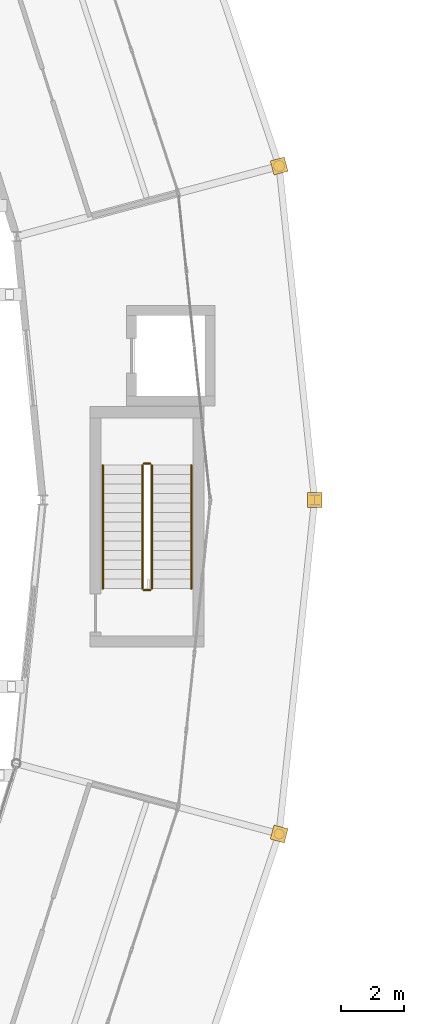
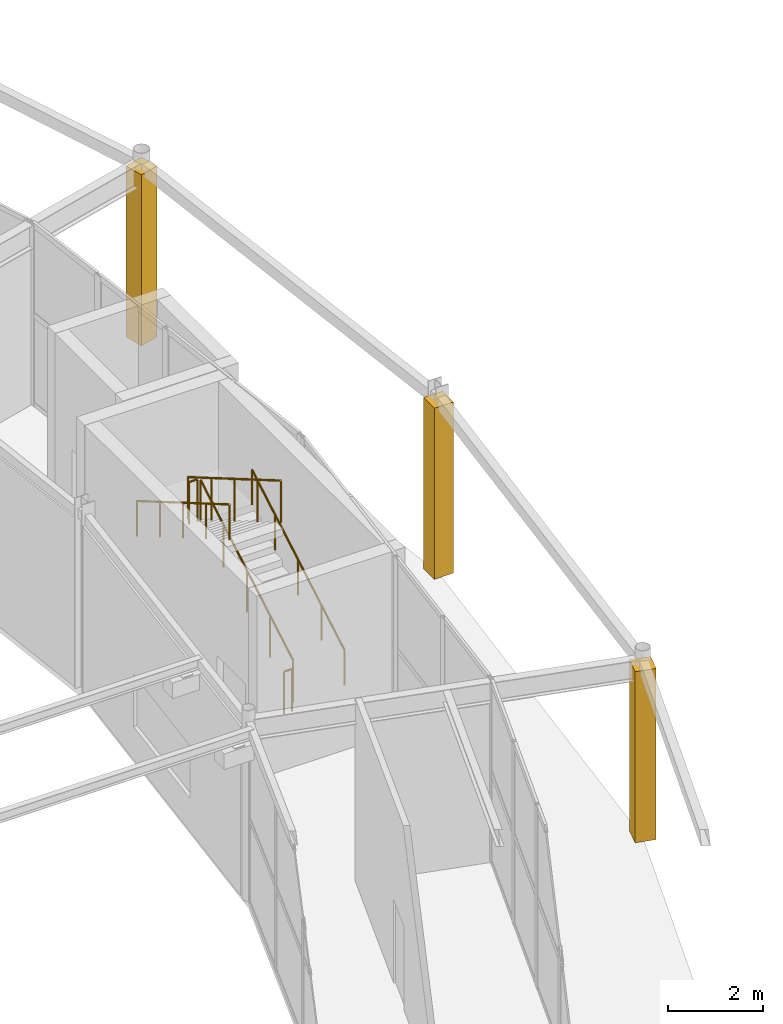
# One storey, part 139 of 144: 6 railings, 3 coverings.
"""IFC4 building model written with IfcOpenShell, lengths in metres."""

from ifc_helpers import new_model, si_unit, direction, frame, origin, origin_2d, place, context, subcontext, project, spatial, rectangle, circle, extrude, material, layer, layer_set, type_object, element, save


model = new_model("IFC4")

# Units and contexts
model_context = context("Model", 3, precision=1e-05, world=origin(), true_north=direction((0.0, 1.0)))
body_context = subcontext(model_context, "Body", "Model", "MODEL_VIEW")
ifc_project = project(units=[si_unit("LENGTHUNIT", "METRE"), si_unit("AREAUNIT", "SQUARE_METRE"), si_unit("VOLUMEUNIT", "CUBIC_METRE"), si_unit("PLANEANGLEUNIT", "RADIAN"), si_unit("MASSUNIT", "GRAM", prefix="KILO")], contexts=[model_context])

# Site, building, storey
site_placement = place(None, origin())
site = spatial("IfcSite", under=ifc_project, at=site_placement, CompositionType="ELEMENT")
building_placement = place(site_placement, origin())
building = spatial("IfcBuilding", under=site, at=building_placement, Name="Karori Crest Natural Sciences Institute", CompositionType="ELEMENT")
storey_placement = place(building_placement, origin())
storey = spatial("IfcBuildingStorey", under=building, at=storey_placement, Name="L00", CompositionType="ELEMENT", Elevation=0.0)

# Coverings
ifc_material_1 = material(Name="Glulam GL10 architectural column casing", Category="wood")
ifc_layer = layer(ifc_material_1, 0.044921875, Name="Glulam GL10 architectural column casing")
ifc_layer_set = layer_set([ifc_layer], Name="Glulam GL10 architectural column casing")
covering_type = type_object("IfcCoveringType", Name="CVT-GL10", PredefinedType="CLADDING", material=ifc_layer_set)
for number, where, z_axis, x_axis, name in (
    (1, (99.39990234375, 49.89990234375, 0.050048828125), (0.0, 0.0, 1.0), (1.0, 0.0, 0.0), "Glulam GL10 column casing CL-0001"),
    (2, (98.275634765625, 60.459716796875, 0.050048828125), (0.0, 0.0, 1.0), (0.965925826289, 0.258819045103, 0.0), "Glulam GL10 column casing CL-0002"),
    (3, (98.275634765625, 39.340087890625, 0.050048828125), (0.0, 0.0, 1.0), (0.965925826289, -0.258819045103, 0.0), "Glulam GL10 column casing CL-0024"),
):
    element("IfcCovering", number, at=place(storey_placement, frame(where, z_axis=z_axis, x_axis=x_axis)), inside=storey, type_object=covering_type, Name=name, PredefinedType="CLADDING", context=body_context, shape_type="SweptSolid", body=[
        extrude(rectangle(XDim=0.4599609375, YDim=0.4599609375, at=origin_2d()), origin(), (0.0, 0.0, 1.0), 4.39990234375),
    ])

# Railings
ifc_material_2 = material(Name="Stainless steel 316 tubular handrail", Category="steel")
railing_type_1 = type_object("IfcRailingType", Name="RLT-HND", PredefinedType="HANDRAIL", material=ifc_material_2)
railing_1_placement = place(storey_placement, frame((95.5, 47.10009765625, 0.175048828125)))
element("IfcRailing", 4, at=railing_1_placement, inside=storey, type_object=railing_type_1, Name="Stair handrail RL-0011", PredefinedType="HANDRAIL", context=body_context, shape_type="SweptSolid", body=[
    extrude(circle(Radius=0.02392578125, at=origin_2d()), frame((0.0, 0.0, 0.90087890625), z_axis=(0.0, 0.86378282336, 0.503864301244), x_axis=(-1.0, 0.0, 0.0)), (0.0, 0.0, 1.0), 4.514892578125),
    extrude(circle(Radius=0.02099609375, at=origin_2d()), origin(), (0.0, 0.0, 1.0), 0.876953125),
    extrude(circle(Radius=0.02099609375, at=origin_2d()), frame((0.0, 0.97509765625, 0.56884765625)), (0.0, 0.0, 1.0), 0.876953125),
    extrude(circle(Radius=0.02099609375, at=origin_2d()), frame((0.0, 1.949951171875, 1.137451171875)), (0.0, 0.0, 1.0), 0.876953125),
    extrude(circle(Radius=0.02099609375, at=origin_2d()), frame((0.0, 2.9248046875, 1.7060546875)), (0.0, 0.0, 1.0), 0.876953125),
    extrude(circle(Radius=0.02099609375, at=origin_2d()), frame((0.0, 3.89990234375, 2.27490234375)), (0.0, 0.0, 1.0), 0.876953125),
])
railing_2_placement = place(storey_placement, frame((92.699951171875, 51.0, 2.625)))
element("IfcRailing", 5, at=railing_2_placement, inside=storey, type_object=railing_type_1, Name="Stair handrail RL-0012", PredefinedType="HANDRAIL", context=body_context, shape_type="SweptSolid", body=[
    extrude(circle(Radius=0.02392578125, at=origin_2d()), frame((0.0, 0.0, 0.90087890625), z_axis=(0.0, -0.86378282336, 0.503864301244), x_axis=(1.0, 0.0, 0.0)), (0.0, 0.0, 1.0), 4.514892578125),
    extrude(circle(Radius=0.02099609375, at=origin_2d()), origin(), (0.0, 0.0, 1.0), 0.876953125),
    extrude(circle(Radius=0.02099609375, at=origin_2d()), frame((0.0, -0.97509765625, 0.56884765625)), (0.0, 0.0, 1.0), 0.876953125),
    extrude(circle(Radius=0.02099609375, at=origin_2d()), frame((0.0, -1.949951171875, 1.137451171875)), (0.0, 0.0, 1.0), 0.876953125),
    extrude(circle(Radius=0.02099609375, at=origin_2d()), frame((0.0, -2.9248046875, 1.7060546875)), (0.0, 0.0, 1.0), 0.876953125),
    extrude(circle(Radius=0.02099609375, at=origin_2d()), frame((0.0, -3.89990234375, 2.27490234375)), (0.0, 0.0, 1.0), 0.876953125),
])
ifc_material_3 = material(Name="Stainless steel 316 stair guard", Category="steel")
railing_type_2 = type_object("IfcRailingType", Name="RLT-STG", PredefinedType="GUARDRAIL", material=ifc_material_3)
railing_3_placement = place(storey_placement, frame((94.25, 47.10009765625, 0.175048828125)))
element("IfcRailing", 6, at=railing_3_placement, inside=storey, type_object=railing_type_2, Name="Stair guard RL-0007", PredefinedType="GUARDRAIL", context=body_context, shape_type="SweptSolid", body=[
    extrude(circle(Radius=0.02392578125, at=origin_2d()), frame((0.0, 0.0, 1.076171875), z_axis=(0.0, 0.86378282336, 0.503864301244), x_axis=(-1.0, 0.0, 0.0)), (0.0, 0.0, 1.0), 4.514892578125),
    extrude(circle(Radius=0.02099609375, at=origin_2d()), origin(), (0.0, 0.0, 1.0), 1.052001953125),
    extrude(circle(Radius=0.02099609375, at=origin_2d()), frame((0.0, 0.97509765625, 0.56884765625)), (0.0, 0.0, 1.0), 1.052001953125),
    extrude(circle(Radius=0.02099609375, at=origin_2d()), frame((0.0, 1.949951171875, 1.137451171875)), (0.0, 0.0, 1.0), 1.052001953125),
    extrude(circle(Radius=0.02099609375, at=origin_2d()), frame((0.0, 2.9248046875, 1.7060546875)), (0.0, 0.0, 1.0), 1.052001953125),
    extrude(circle(Radius=0.02099609375, at=origin_2d()), frame((0.0, 3.89990234375, 2.27490234375)), (0.0, 0.0, 1.0), 1.052001953125),
])
railing_4_placement = place(storey_placement, frame((94.199951171875, 51.050048828125, 2.449951171875)))
element("IfcRailing", 7, at=railing_4_placement, inside=storey, type_object=railing_type_2, Name="Stair guard RL-0008", PredefinedType="GUARDRAIL", context=body_context, shape_type="SweptSolid", body=[
    extrude(circle(Radius=0.02392578125, at=origin_2d()), frame((0.0, 0.0, 1.076171875), z_axis=(-1.0, 0.0, 0.0), x_axis=(0.0, -1.0, 0.0)), (0.0, 0.0, 1.0), 0.199951171875),
    extrude(circle(Radius=0.02099609375, at=origin_2d()), origin(), (0.0, 0.0, 1.0), 1.052001953125),
    extrude(circle(Radius=0.02099609375, at=origin_2d()), frame((-0.199951171875, 0.0, 0.0)), (0.0, 0.0, 1.0), 1.052001953125),
])
railing_5_placement = place(storey_placement, frame((93.949951171875, 51.0, 2.625)))
element("IfcRailing", 8, at=railing_5_placement, inside=storey, type_object=railing_type_2, Name="Stair guard RL-0009", PredefinedType="GUARDRAIL", context=body_context, shape_type="SweptSolid", body=[
    extrude(circle(Radius=0.02392578125, at=origin_2d()), frame((0.0, 0.0, 1.076171875), z_axis=(0.0, -0.86378282336, 0.503864301244), x_axis=(1.0, 0.0, 0.0)), (0.0, 0.0, 1.0), 4.514892578125),
    extrude(circle(Radius=0.02099609375, at=origin_2d()), origin(), (0.0, 0.0, 1.0), 1.052001953125),
    extrude(circle(Radius=0.02099609375, at=origin_2d()), frame((0.0, -0.97509765625, 0.56884765625)), (0.0, 0.0, 1.0), 1.052001953125),
    extrude(circle(Radius=0.02099609375, at=origin_2d()), frame((0.0, -1.949951171875, 1.137451171875)), (0.0, 0.0, 1.0), 1.052001953125),
    extrude(circle(Radius=0.02099609375, at=origin_2d()), frame((0.0, -2.9248046875, 1.7060546875)), (0.0, 0.0, 1.0), 1.052001953125),
    extrude(circle(Radius=0.02099609375, at=origin_2d()), frame((0.0, -3.89990234375, 2.27490234375)), (0.0, 0.0, 1.0), 1.052001953125),
])
railing_6_placement = place(storey_placement, frame((94.199951171875, 47.050048828125, 0.0)))
element("IfcRailing", 9, at=railing_6_placement, inside=storey, type_object=railing_type_2, Name="Stair guard RL-0010", PredefinedType="GUARDRAIL", context=body_context, shape_type="SweptSolid", body=[
    extrude(circle(Radius=0.02392578125, at=origin_2d()), frame((0.0, 0.0, 1.076171875), z_axis=(-1.0, 0.0, 0.0), x_axis=(0.0, -1.0, 0.0)), (0.0, 0.0, 1.0), 0.199951171875),
    extrude(circle(Radius=0.02099609375, at=origin_2d()), origin(), (0.0, 0.0, 1.0), 1.052001953125),
    extrude(circle(Radius=0.02099609375, at=origin_2d()), frame((-0.199951171875, 0.0, 0.0)), (0.0, 0.0, 1.0), 1.052001953125),
])

save(model, "model.ifc")
